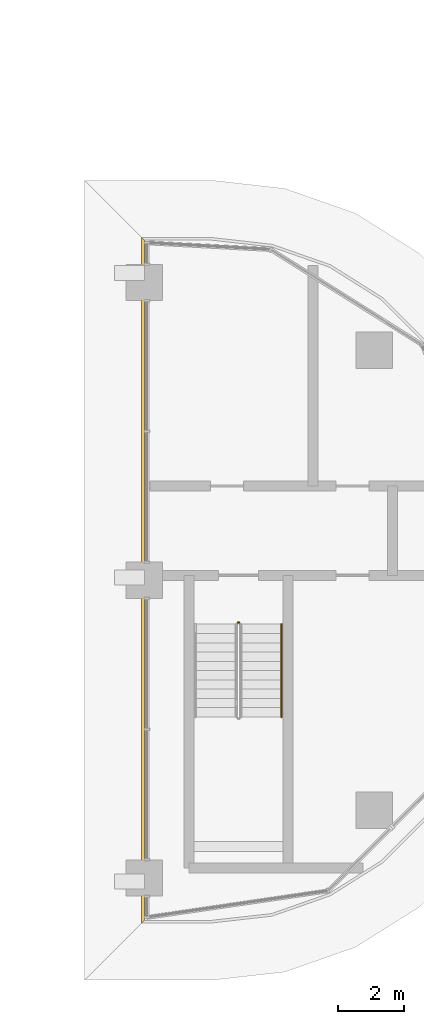
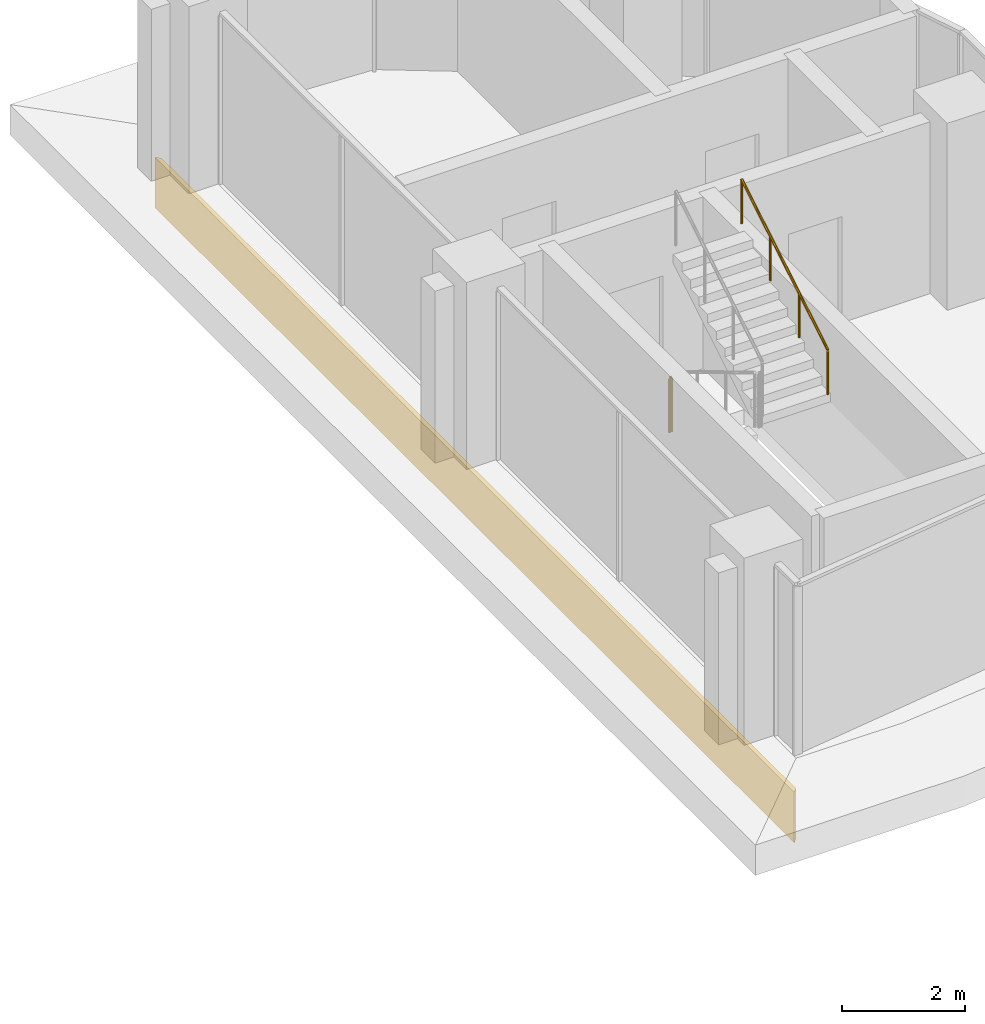
# One storey, part 24 of 27: 2 railings, 1 covering.
"""IFC4 building model written with IfcOpenShell, lengths in metres."""

from ifc_helpers import new_model, si_unit, direction, frame, origin, origin_2d, place, context, subcontext, project, spatial, polyline, circle, outline, extrude, material, layer, layer_set, type_object, element, save


model = new_model("IFC4")

# Units and contexts
model_context = context("Model", 3, precision=1e-05, world=origin(), true_north=direction((0.0, 1.0)))
body_context = subcontext(model_context, "Body", "Model", "MODEL_VIEW")
ifc_project = project(units=[si_unit("LENGTHUNIT", "METRE"), si_unit("AREAUNIT", "SQUARE_METRE"), si_unit("VOLUMEUNIT", "CUBIC_METRE"), si_unit("PLANEANGLEUNIT", "RADIAN"), si_unit("MASSUNIT", "GRAM", prefix="KILO")], contexts=[model_context])

# Site, building, storey
site_placement = place(None, origin())
site = spatial("IfcSite", under=ifc_project, at=site_placement, CompositionType="ELEMENT")
building_placement = place(site_placement, origin())
building = spatial("IfcBuilding", under=site, at=building_placement, Name="Ogive Portal Towers", CompositionType="ELEMENT")
storey_placement = place(building_placement, frame((0.0, 0.0, 160.699951171875)))
storey = spatial("IfcBuildingStorey", under=building, at=storey_placement, Name="L39", CompositionType="ELEMENT", Elevation=160.699951171875)

# Railings
ifc_material_1 = material(Name="Stainless steel balustrade", Category="steel")
railing_type_1 = type_object("IfcRailingType", Name="INT-GUARD", PredefinedType="GUARDRAIL", material=ifc_material_1)
railing_1_placement = place(storey_placement, frame((88.330078125, 29.219970703125, 0.0)))
element("IfcRailing", 1, at=railing_1_placement, inside=storey, type_object=railing_type_1, Name="L39 ST-A4 stair guard 4", PredefinedType="GUARDRAIL", context=body_context, shape_type="SweptSolid", body=[
    extrude(circle(Radius=0.02392578125, at=origin_2d()), frame((0.0, 0.0, 1.076171875), z_axis=(1.0, 0.0, 0.0), x_axis=(0.0, 1.0, 0.0)), (0.0, 0.0, 1.0), 0.0400390625),
    extrude(circle(Radius=0.02099609375, at=origin_2d()), origin(), (0.0, 0.0, 1.0), 1.052001953125),
    extrude(circle(Radius=0.02099609375, at=origin_2d()), frame((0.0400390625, 0.0, 0.0)), (0.0, 0.0, 1.0), 1.052001953125),
])
ifc_material_2 = material(Name="Stainless steel handrail", Category="steel")
railing_type_2 = type_object("IfcRailingType", Name="INT-HANDRAIL", PredefinedType="HANDRAIL", material=ifc_material_2)
railing_2_placement = place(storey_placement, frame((89.64990234375, 26.3701171875, 2.018310546875)))
element("IfcRailing", 2, at=railing_2_placement, inside=storey, type_object=railing_type_2, Name="L39 ST-A4 stair handrail 2", PredefinedType="HANDRAIL", context=body_context, shape_type="SweptSolid", body=[
    extrude(circle(Radius=0.02392578125, at=origin_2d()), frame((0.0, 0.0, 0.8759765625), z_axis=(0.0, 0.857255387014, 0.514891446264), x_axis=(-1.0, 0.0, 0.0)), (0.0, 0.0, 1.0), 3.26611328125),
    extrude(circle(Radius=0.02099609375, at=origin_2d()), origin(), (0.0, 0.0, 1.0), 0.851806640625),
    extrude(circle(Radius=0.02099609375, at=origin_2d()), frame((0.0, 0.933349609375, 0.560546875)), (0.0, 0.0, 1.0), 0.851806640625),
    extrude(circle(Radius=0.02099609375, at=origin_2d()), frame((0.0, 1.866455078125, 1.12109375)), (0.0, 0.0, 1.0), 0.851806640625),
    extrude(circle(Radius=0.02099609375, at=origin_2d()), frame((0.0, 2.7998046875, 1.681640625)), (0.0, 0.0, 1.0), 0.851806640625),
])

# Covering
ifc_material_3 = material(Name="Limestone cladding on lightweight block wall", Category="masonry")
ifc_layer = layer(ifc_material_3, 0.080078125)
ifc_layer_set = layer_set([ifc_layer], Name="STONE SPANDREL 80")
covering_type = type_object("IfcCoveringType", Name="STONE SPANDREL 80", PredefinedType="CLADDING", material=ifc_layer_set)
covering_placement = place(storey_placement, frame((0.0, 0.0, -1.599853515625)))
element("IfcCovering", 3, at=covering_placement, inside=storey, type_object=covering_type, Name="Stone spandrel A2-F01", PredefinedType="CLADDING", context=body_context, shape_type="SweptSolid", body=[
    extrude(outline(polyline([(85.5, 40.784912109375), (85.5, 20.215087890625), (85.419921875, 20.135009765625), (85.419921875, 40.864990234375), (85.5, 40.784912109375)])), origin(), (0.0, 0.0, 1.0), 1.0),
])

save(model, "model.ifc")
